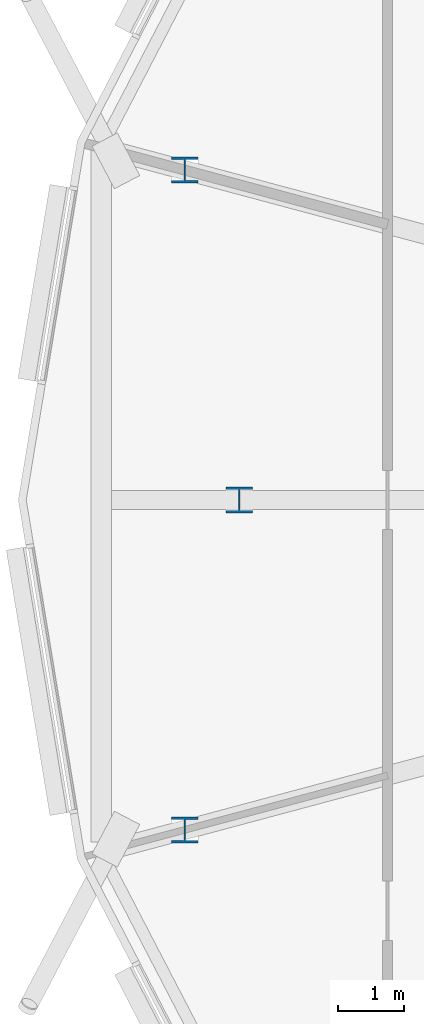
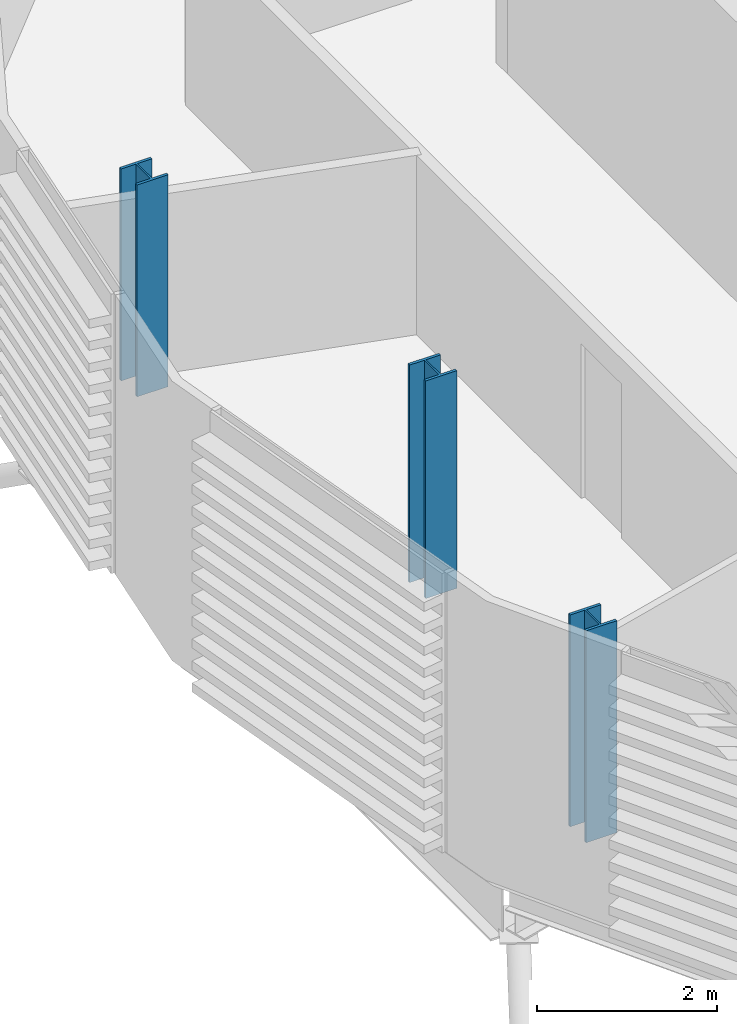
# One storey, part 1 of 38: 3 columns.
"""IFC4 building model written with IfcOpenShell, lengths in metres."""

import ifcopenshell
import ifcopenshell.guid

model = None  # the IFC model being written
_history = None  # IfcOwnerHistory: only IFC2X3 demands one
_inside = {}  # id of a spatial element -> (the spatial element, [elements in it])
_under = {}  # id of a project, library or spatial element -> (it, [spatial elements below it])
_declared = {}  # id of a project -> (the project, [libraries it declares])
_typed = {}  # id of a type object -> (the type object, [elements of that type])
_made_of = {}  # id of a material, layer set ... -> (it, [elements and type objects made of it])


def new_model(schema):
    """Start an empty IFC model of exactly this schema.

    Asked for "IFC4X3", IfcOpenShell would pick the latest addendum, in which some entities
    have other attributes; the version numbers below select the first issue.
    IFC2X3 requires an IfcOwnerHistory on every rooted entity: one is made here for all.
    """
    global model, _history
    if schema == "IFC4X3":
        model = ifcopenshell.file(schema_version=(4, 3, 0, 0))
    else:
        model = ifcopenshell.file(schema=schema)
    _inside.clear()
    _under.clear()
    _declared.clear()
    _typed.clear()
    _made_of.clear()
    _history = None
    if model.schema == "IFC2X3":
        org = make("IfcOrganization", Name="unknown")
        user = make(
            "IfcPersonAndOrganization",
            ThePerson=make("IfcPerson", FamilyName="unknown"),
            TheOrganization=org,
        )
        app = make(
            "IfcApplication",
            ApplicationDeveloper=org,
            Version="unknown",
            ApplicationFullName="unknown",
            ApplicationIdentifier="unknown",
        )
        _history = make(
            "IfcOwnerHistory",
            OwningUser=user,
            OwningApplication=app,
            ChangeAction="ADDED",
            CreationDate=0,
        )
    return model


def make(cls, **values):
    """One entity of the class cls with the attributes given. An attribute that is None is left unset."""
    return model.create_entity(
        cls, **{name: value for name, value in values.items() if value is not None}
    )


def rooted(cls, **values):
    """An entity with a GlobalId (a new one), such as an element, a storey or a relation."""
    return make(cls, GlobalId=ifcopenshell.guid.new(), OwnerHistory=_history, **values)


def si_unit(unit_type, name, prefix=None):
    """IfcSIUnit, for example si_unit("LENGTHUNIT", "METRE", prefix="MILLI")."""
    return make("IfcSIUnit", UnitType=unit_type, Prefix=prefix, Name=name)


def assignment(units):
    """IfcUnitAssignment: the units of a project."""
    return None if units is None else make("IfcUnitAssignment", Units=units)


def point(xyz):
    """IfcCartesianPoint."""
    return None if xyz is None else make("IfcCartesianPoint", Coordinates=xyz)


def direction(xyz):
    """IfcDirection."""
    return None if xyz is None else make("IfcDirection", DirectionRatios=xyz)


def frame(location, z_axis=None, x_axis=None):
    """IfcAxis2Placement3D, a coordinate frame: its origin and axes. An axis left out is left unset."""
    return make(
        "IfcAxis2Placement3D",
        Location=point(location),
        Axis=direction(z_axis),
        RefDirection=direction(x_axis),
    )


def frame_2d(location, x_axis=None):
    """IfcAxis2Placement2D, a coordinate frame in the plane: its origin and x axis."""
    return make(
        "IfcAxis2Placement2D", Location=point(location), RefDirection=direction(x_axis)
    )


def origin():
    """The frame at (0, 0, 0) with its axes left unset."""
    return frame((0.0, 0.0, 0.0))


def origin_2d():
    """The frame at (0, 0) in the plane with its x axis left unset."""
    return frame_2d((0.0, 0.0))


def place(relative_to, where):
    """IfcLocalPlacement: puts the frame where relative to a parent placement (None: the world)."""
    return make(
        "IfcLocalPlacement", PlacementRelTo=relative_to, RelativePlacement=where
    )


def context(
    kind, dimensions, precision=None, world=None, true_north=None, identifier=None
):
    """IfcGeometricRepresentationContext, for example the 3D "Model" context."""
    return make(
        "IfcGeometricRepresentationContext",
        ContextIdentifier=identifier,
        ContextType=kind,
        CoordinateSpaceDimension=dimensions,
        Precision=precision,
        WorldCoordinateSystem=world,
        TrueNorth=true_north,
    )


def subcontext(parent, identifier, kind, view, scale=None):
    """IfcGeometricRepresentationSubContext, for example "Body" below "Model"."""
    return make(
        "IfcGeometricRepresentationSubContext",
        ContextIdentifier=identifier,
        ContextType=kind,
        ParentContext=parent,
        TargetScale=scale,
        TargetView=view,
    )


def project(units=None, contexts=None):
    """IfcProject with its units and contexts."""
    return rooted(
        "IfcProject",
        Name="project",
        RepresentationContexts=contexts,
        UnitsInContext=assignment(units),
    )


def spatial(cls, under=None, at=None, **own):
    """A site, building, storey or space (cls), placed at a placement, below another one or the project."""
    s = rooted(cls, ObjectPlacement=at, **own)
    if under is not None:
        _under.setdefault(under.id(), (under, []))[1].append(s)
    return s


def profile(cls, at=None, kind="AREA", **sizes):
    """A parametric profile (cls). Its sizes go by their IFC names, for example OverallWidth=200.0."""
    return make(cls, ProfileType=kind, Position=at, **sizes)


def i_section(**sizes):
    """IfcIShapeProfileDef."""
    return profile("IfcIShapeProfileDef", **sizes)


def extrude(swept, where, along, depth):
    """IfcExtrudedAreaSolid: the profile swept, set in the frame where, extruded along a direction by depth."""
    return make(
        "IfcExtrudedAreaSolid",
        SweptArea=swept,
        Position=where,
        ExtrudedDirection=direction(along),
        Depth=depth,
    )


def shape(context_of_items, identifier, shape_type, items):
    """IfcShapeRepresentation: the items that make up one representation, for example the "Body"."""
    return make(
        "IfcShapeRepresentation",
        ContextOfItems=context_of_items,
        RepresentationIdentifier=identifier,
        RepresentationType=shape_type,
        Items=items,
    )


def material(Name=None, Category=None):
    """IfcMaterial."""
    return make("IfcMaterial", Name=Name, Category=Category)


def material_profile(
    of_material, cross_section, Name=None, Category=None, Priority=None
):
    """IfcMaterialProfile: a cross section and its material."""
    return make(
        "IfcMaterialProfile",
        Name=Name,
        Material=of_material,
        Profile=cross_section,
        Priority=Priority,
        Category=Category,
    )


def profile_set(profiles, Name=None, composite=None):
    """IfcMaterialProfileSet."""
    return make(
        "IfcMaterialProfileSet",
        Name=Name,
        MaterialProfiles=profiles,
        CompositeProfile=composite,
    )


def made_of(thing, what):
    """Note that an element or type object is made of a material, layer set ...; save() writes the relation."""
    if what is not None:
        _made_of.setdefault(what.id(), (what, []))[1].append(thing)
    return thing


def type_object(cls, material=None, **own):
    """A type object (cls), such as IfcWallType, which elements share."""
    return made_of(rooted(cls, **own), material)


def element(
    cls,
    number,
    at=None,
    inside=None,
    cuts=None,
    type_object=None,
    material=None,
    context=None,
    identifier="Body",
    shape_type=None,
    held_by="IfcProductDefinitionShape",
    body=None,
    shapes=None,
    **own,
):
    """One element of the class cls, such as IfcWall. Its Tag is "e" and its number.

    at: its placement. inside: the storey or other place that contains it. cuts: it is an
    opening in that element (IfcRelVoidsElement). A single representation is given by context,
    identifier, shape_type and body (its items); several are given by shapes. held_by: the class
    of the entity that holds the representations. save() writes the other relations.
    """
    e = rooted(cls, Tag="e%d" % number, ObjectPlacement=at, **own)
    if body is not None:
        shapes = [shape(context, identifier, shape_type, body)]
    if shapes is not None:
        e.Representation = make(held_by, Representations=shapes)
    if inside is not None:
        _inside.setdefault(inside.id(), (inside, []))[1].append(e)
    if cuts is not None:
        rooted(
            "IfcRelVoidsElement", RelatingBuildingElement=cuts, RelatedOpeningElement=e
        )
    if type_object is not None:
        _typed.setdefault(type_object.id(), (type_object, []))[1].append(e)
    return made_of(e, material)


def aggregate(whole, parts):
    """IfcRelAggregates: a whole, such as a stair, and the parts it consists of."""
    return rooted("IfcRelAggregates", RelatingObject=whole, RelatedObjects=parts)


def save(model, path):
    """Write the relations noted so far, then the file.

    IfcRelAggregates (storeys below a building ...), IfcRelContainedInSpatialStructure (elements
    in a storey), IfcRelDefinesByType, IfcRelAssociatesMaterial and IfcRelDeclares: one each for
    every whole, place, type object, material and project.
    """
    for whole, parts in _under.values():
        aggregate(whole, parts)
    for where, things in _inside.values():
        rooted(
            "IfcRelContainedInSpatialStructure",
            RelatedElements=things,
            RelatingStructure=where,
        )
    for kind, things in _typed.values():
        rooted("IfcRelDefinesByType", RelatedObjects=things, RelatingType=kind)
    for what, things in _made_of.values():
        rooted("IfcRelAssociatesMaterial", RelatedObjects=things, RelatingMaterial=what)
    for by, libraries in _declared.values():
        rooted("IfcRelDeclares", RelatingContext=by, RelatedDefinitions=libraries)
    model.write(path)


model = new_model("IFC4")

# Units and contexts
model_context = context("Model", 3, precision=1e-05, world=origin(), true_north=direction((0.0, 1.0)))
body_context = subcontext(model_context, "Body", "Model", "MODEL_VIEW")
ifc_project = project(units=[si_unit("LENGTHUNIT", "METRE"), si_unit("AREAUNIT", "SQUARE_METRE"), si_unit("VOLUMEUNIT", "CUBIC_METRE"), si_unit("PLANEANGLEUNIT", "RADIAN"), si_unit("MASSUNIT", "GRAM", prefix="KILO")], contexts=[model_context])

# Site, building, storey
site_placement = place(None, origin())
site = spatial("IfcSite", under=ifc_project, at=site_placement, CompositionType="ELEMENT")
building_placement = place(site_placement, origin())
building = spatial("IfcBuilding", under=site, at=building_placement, Name="Rimbun Link Towers", CompositionType="ELEMENT")
storey_placement = place(building_placement, frame((0.0, 0.0, 218.10009765625)))
storey = spatial("IfcBuildingStorey", under=building, at=storey_placement, Name="L53", CompositionType="ELEMENT", Elevation=218.10009765625)

# Columns
ifc_material = material(Name="Steel S355J2", Category="steel")
ifc_material_profile = material_profile(ifc_material, i_section(OverallWidth=0.39892578125, OverallDepth=0.3935546875, WebThickness=0.022705078125, FlangeThickness=0.03662109375, at=origin_2d()), Name="UC 356x406x287")
ifc_profile_set = profile_set([ifc_material_profile], Name="Steel S355J2")
column_type = type_object("IfcColumnType", Name="UC 356x406x287", PredefinedType="COLUMN", material=ifc_profile_set)
column_1_placement = place(storey_placement, frame((-50.40771484375, 4.99951171875, -0.14013671875), z_axis=(0.0, 0.0, 1.0), x_axis=(1.0, 0.0, 0.0)))
element("IfcColumn", 1, at=column_1_placement, inside=storey, type_object=column_type, Name="Crease post T1 L53 11", PredefinedType="COLUMN", context=body_context, shape_type="SweptSolid", body=[
    extrude(i_section(OverallWidth=0.39892578125, OverallDepth=0.3935546875, WebThickness=0.022705078125, FlangeThickness=0.03662109375, at=origin_2d()), origin(), (0.0, 0.0, 1.0), 2.881591796875),
])
column_2_placement = place(storey_placement, frame((-49.583251953125, 0.0, -0.14013671875), z_axis=(0.0, 0.0, 1.0), x_axis=(1.0, 0.0, 0.0)))
element("IfcColumn", 2, at=column_2_placement, inside=storey, type_object=column_type, Name="Crease post T1 L53 12", PredefinedType="COLUMN", context=body_context, shape_type="SweptSolid", body=[
    extrude(i_section(OverallWidth=0.39892578125, OverallDepth=0.3935546875, WebThickness=0.022705078125, FlangeThickness=0.03662109375, at=origin_2d()), origin(), (0.0, 0.0, 1.0), 2.959228515625),
])
column_3_placement = place(storey_placement, frame((-50.40771484375, -4.99951171875, -0.14013671875), z_axis=(0.0, 0.0, 1.0), x_axis=(1.0, 0.0, 0.0)))
element("IfcColumn", 3, at=column_3_placement, inside=storey, type_object=column_type, Name="Crease post T1 L53 13", PredefinedType="COLUMN", context=body_context, shape_type="SweptSolid", body=[
    extrude(i_section(OverallWidth=0.39892578125, OverallDepth=0.3935546875, WebThickness=0.022705078125, FlangeThickness=0.03662109375, at=origin_2d()), origin(), (0.0, 0.0, 1.0), 2.881591796875),
])

save(model, "model.ifc")
